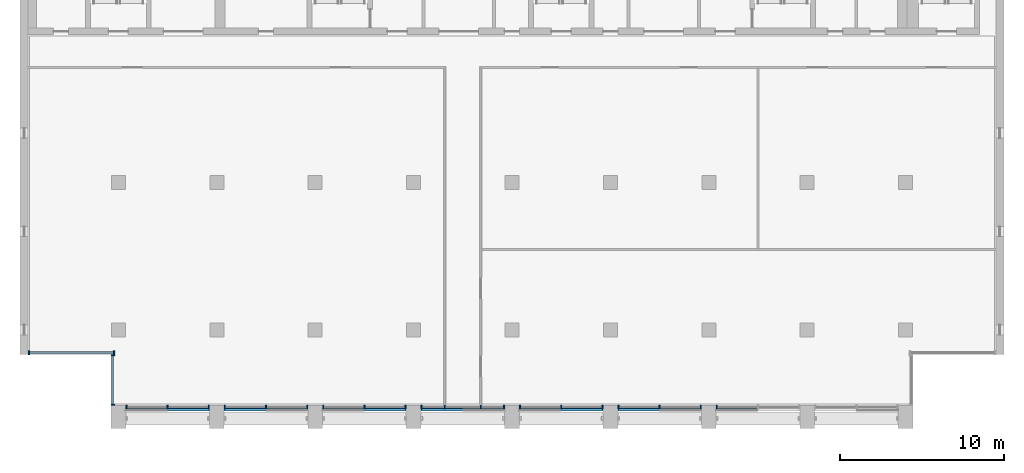
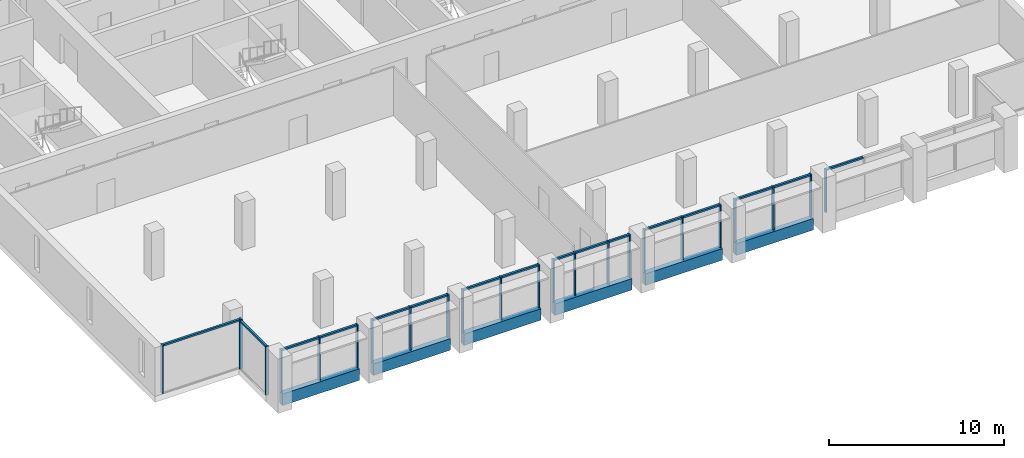
# One storey, part 2 of 14: 40 members, 6 beams, 9 elements without a shape of their own.
"""IFC4 building model written with IfcOpenShell, lengths in metres."""

from ifc_helpers import new_model, si_unit, direction, frame, origin, origin_2d, place, context, subcontext, project, spatial, rectangle, extrude, material, material_profile, profile_set, type_object, element, aggregate, save


model = new_model("IFC4")

# Units and contexts
model_context = context("Model", 3, precision=1e-05, world=origin(), true_north=direction((0.0, 1.0)))
body_context = subcontext(model_context, "Body", "Model", "MODEL_VIEW")
ifc_project = project(units=[si_unit("LENGTHUNIT", "METRE"), si_unit("AREAUNIT", "SQUARE_METRE"), si_unit("VOLUMEUNIT", "CUBIC_METRE"), si_unit("PLANEANGLEUNIT", "RADIAN"), si_unit("MASSUNIT", "GRAM", prefix="KILO")], contexts=[model_context])

# Site, building, storey
site_placement = place(None, origin())
site = spatial("IfcSite", under=ifc_project, at=site_placement, CompositionType="ELEMENT")
building_placement = place(site_placement, origin())
building = spatial("IfcBuilding", under=site, at=building_placement, Name="Calvaro Tower", CompositionType="ELEMENT")
storey_placement = place(building_placement, frame((0.0, 0.0, 246.949951171875)))
storey = spatial("IfcBuildingStorey", under=building, at=storey_placement, Name="L62", CompositionType="ELEMENT", Elevation=246.949951171875)

# Curtain wall, members
ifc_material_1 = material(Name="Anodised aluminium", Category="aluminium")
curtain_wall_type = type_object("IfcCurtainWallType", Name="Executive curtain wall", PredefinedType="NOTDEFINED", material=ifc_material_1)
curtain_wall_1_placement = place(storey_placement, origin())
curtain_wall_1 = element("IfcCurtainWall", 1, at=curtain_wall_1_placement, inside=storey, type_object=curtain_wall_type, Name="CW4 south curtain wall", PredefinedType="NOTDEFINED")
ifc_material_2 = material(Name="Anodised aluminium", Category="aluminium")
ifc_material_profile_1 = material_profile(ifc_material_2, rectangle(XDim=0.219970703125, YDim=0.080078125, at=origin_2d()), Name="Mullion S4 80 x 220")
ifc_profile_set_1 = profile_set([ifc_material_profile_1], Name="Anodised aluminium")
member_type_1 = type_object("IfcMemberType", Name="Mullion S4 80 x 220", PredefinedType="MULLION", material=ifc_profile_set_1)
member_1_placement = place(storey_placement, frame((12.489990234375, 5.2900390625, 0.0), z_axis=(0.0, 0.0, 1.0), x_axis=(0.0, 1.0, 0.0)))
member_1 = element("IfcMember", 2, at=member_1_placement, type_object=member_type_1, Name="CW4 mullion 1", PredefinedType="MULLION", context=body_context, shape_type="SweptSolid", body=[
    extrude(rectangle(XDim=0.219970703125, YDim=0.080078125, at=origin_2d()), origin(), (0.0, 0.0, 1.0), 3.0),
])
member_2_placement = place(storey_placement, frame((15.0, 5.2900390625, 0.0), z_axis=(0.0, 0.0, 1.0), x_axis=(0.0, 1.0, 0.0)))
member_2 = element("IfcMember", 3, at=member_2_placement, type_object=member_type_1, Name="CW4 mullion 2", PredefinedType="MULLION", context=body_context, shape_type="SweptSolid", body=[
    extrude(rectangle(XDim=0.219970703125, YDim=0.080078125, at=origin_2d()), origin(), (0.0, 0.0, 1.0), 3.0),
])
member_3_placement = place(storey_placement, frame((17.510009765625, 5.2900390625, 0.0), z_axis=(0.0, 0.0, 1.0), x_axis=(0.0, 1.0, 0.0)))
member_3 = element("IfcMember", 4, at=member_3_placement, type_object=member_type_1, Name="CW4 mullion 3", PredefinedType="MULLION", context=body_context, shape_type="SweptSolid", body=[
    extrude(rectangle(XDim=0.219970703125, YDim=0.080078125, at=origin_2d()), origin(), (0.0, 0.0, 1.0), 3.0),
])

curtain_wall_2_placement = place(storey_placement, origin())
curtain_wall_2 = element("IfcCurtainWall", 5, at=curtain_wall_2_placement, inside=storey, type_object=curtain_wall_type, Name="CW4 south curtain wall", PredefinedType="NOTDEFINED")
member_4_placement = place(storey_placement, frame((18.489990234375, 5.2900390625, 0.0), z_axis=(0.0, 0.0, 1.0), x_axis=(0.0, 1.0, 0.0)))
member_4 = element("IfcMember", 6, at=member_4_placement, type_object=member_type_1, Name="CW4 mullion 1", PredefinedType="MULLION", context=body_context, shape_type="SweptSolid", body=[
    extrude(rectangle(XDim=0.219970703125, YDim=0.080078125, at=origin_2d()), origin(), (0.0, 0.0, 1.0), 3.0),
])
member_5_placement = place(storey_placement, frame((21.0, 5.2900390625, 0.0), z_axis=(0.0, 0.0, 1.0), x_axis=(0.0, 1.0, 0.0)))
member_5 = element("IfcMember", 7, at=member_5_placement, type_object=member_type_1, Name="CW4 mullion 2", PredefinedType="MULLION", context=body_context, shape_type="SweptSolid", body=[
    extrude(rectangle(XDim=0.219970703125, YDim=0.080078125, at=origin_2d()), origin(), (0.0, 0.0, 1.0), 3.0),
])
member_6_placement = place(storey_placement, frame((23.510009765625, 5.2900390625, 0.0), z_axis=(0.0, 0.0, 1.0), x_axis=(0.0, 1.0, 0.0)))
member_6 = element("IfcMember", 8, at=member_6_placement, type_object=member_type_1, Name="CW4 mullion 3", PredefinedType="MULLION", context=body_context, shape_type="SweptSolid", body=[
    extrude(rectangle(XDim=0.219970703125, YDim=0.080078125, at=origin_2d()), origin(), (0.0, 0.0, 1.0), 3.0),
])

curtain_wall_3_placement = place(storey_placement, origin())
curtain_wall_3 = element("IfcCurtainWall", 9, at=curtain_wall_3_placement, inside=storey, type_object=curtain_wall_type, Name="CW4 south curtain wall", PredefinedType="NOTDEFINED")
member_7_placement = place(storey_placement, frame((24.489990234375, 5.2900390625, 0.0), z_axis=(0.0, 0.0, 1.0), x_axis=(0.0, 1.0, 0.0)))
member_7 = element("IfcMember", 10, at=member_7_placement, type_object=member_type_1, Name="CW4 mullion 1", PredefinedType="MULLION", context=body_context, shape_type="SweptSolid", body=[
    extrude(rectangle(XDim=0.219970703125, YDim=0.080078125, at=origin_2d()), origin(), (0.0, 0.0, 1.0), 3.0),
])
member_8_placement = place(storey_placement, frame((27.0, 5.2900390625, 0.0), z_axis=(0.0, 0.0, 1.0), x_axis=(0.0, 1.0, 0.0)))
member_8 = element("IfcMember", 11, at=member_8_placement, type_object=member_type_1, Name="CW4 mullion 2", PredefinedType="MULLION", context=body_context, shape_type="SweptSolid", body=[
    extrude(rectangle(XDim=0.219970703125, YDim=0.080078125, at=origin_2d()), origin(), (0.0, 0.0, 1.0), 3.0),
])
member_9_placement = place(storey_placement, frame((29.510009765625, 5.2900390625, 0.0), z_axis=(0.0, 0.0, 1.0), x_axis=(0.0, 1.0, 0.0)))
member_9 = element("IfcMember", 12, at=member_9_placement, type_object=member_type_1, Name="CW4 mullion 3", PredefinedType="MULLION", context=body_context, shape_type="SweptSolid", body=[
    extrude(rectangle(XDim=0.219970703125, YDim=0.080078125, at=origin_2d()), origin(), (0.0, 0.0, 1.0), 3.0),
])

curtain_wall_4_placement = place(storey_placement, origin())
curtain_wall_4 = element("IfcCurtainWall", 13, at=curtain_wall_4_placement, inside=storey, type_object=curtain_wall_type, Name="CW4 south curtain wall", PredefinedType="NOTDEFINED")
member_10_placement = place(storey_placement, frame((30.489990234375, 5.2900390625, 0.0), z_axis=(0.0, 0.0, 1.0), x_axis=(0.0, 1.0, 0.0)))
member_10 = element("IfcMember", 14, at=member_10_placement, type_object=member_type_1, Name="CW4 mullion 1", PredefinedType="MULLION", context=body_context, shape_type="SweptSolid", body=[
    extrude(rectangle(XDim=0.219970703125, YDim=0.080078125, at=origin_2d()), origin(), (0.0, 0.0, 1.0), 3.0),
])
member_11_placement = place(storey_placement, frame((31.89990234375, 5.2900390625, 0.0), z_axis=(0.0, 0.0, 1.0), x_axis=(0.0, 1.0, 0.0)))
member_11 = element("IfcMember", 15, at=member_11_placement, type_object=member_type_1, Name="CW4 mullion 2", PredefinedType="MULLION", context=body_context, shape_type="SweptSolid", body=[
    extrude(rectangle(XDim=0.219970703125, YDim=0.080078125, at=origin_2d()), origin(), (0.0, 0.0, 1.0), 3.0),
])
member_12_placement = place(storey_placement, frame((34.10009765625, 5.2900390625, 0.0), z_axis=(0.0, 0.0, 1.0), x_axis=(0.0, 1.0, 0.0)))
member_12 = element("IfcMember", 16, at=member_12_placement, type_object=member_type_1, Name="CW4 mullion 3", PredefinedType="MULLION", context=body_context, shape_type="SweptSolid", body=[
    extrude(rectangle(XDim=0.219970703125, YDim=0.080078125, at=origin_2d()), origin(), (0.0, 0.0, 1.0), 3.0),
])
member_13_placement = place(storey_placement, frame((35.510009765625, 5.2900390625, 0.0), z_axis=(0.0, 0.0, 1.0), x_axis=(0.0, 1.0, 0.0)))
member_13 = element("IfcMember", 17, at=member_13_placement, type_object=member_type_1, Name="CW4 mullion 4", PredefinedType="MULLION", context=body_context, shape_type="SweptSolid", body=[
    extrude(rectangle(XDim=0.219970703125, YDim=0.080078125, at=origin_2d()), origin(), (0.0, 0.0, 1.0), 3.0),
])

curtain_wall_5_placement = place(storey_placement, origin())
curtain_wall_5 = element("IfcCurtainWall", 18, at=curtain_wall_5_placement, inside=storey, type_object=curtain_wall_type, Name="CW4 south curtain wall", PredefinedType="NOTDEFINED")
member_14_placement = place(storey_placement, frame((36.489990234375, 5.2900390625, 0.0), z_axis=(0.0, 0.0, 1.0), x_axis=(0.0, 1.0, 0.0)))
member_14 = element("IfcMember", 19, at=member_14_placement, type_object=member_type_1, Name="CW4 mullion 1", PredefinedType="MULLION", context=body_context, shape_type="SweptSolid", body=[
    extrude(rectangle(XDim=0.219970703125, YDim=0.080078125, at=origin_2d()), origin(), (0.0, 0.0, 1.0), 3.0),
])
member_15_placement = place(storey_placement, frame((39.0, 5.2900390625, 0.0), z_axis=(0.0, 0.0, 1.0), x_axis=(0.0, 1.0, 0.0)))
member_15 = element("IfcMember", 20, at=member_15_placement, type_object=member_type_1, Name="CW4 mullion 2", PredefinedType="MULLION", context=body_context, shape_type="SweptSolid", body=[
    extrude(rectangle(XDim=0.219970703125, YDim=0.080078125, at=origin_2d()), origin(), (0.0, 0.0, 1.0), 3.0),
])
member_16_placement = place(storey_placement, frame((41.510009765625, 5.2900390625, 0.0), z_axis=(0.0, 0.0, 1.0), x_axis=(0.0, 1.0, 0.0)))
member_16 = element("IfcMember", 21, at=member_16_placement, type_object=member_type_1, Name="CW4 mullion 3", PredefinedType="MULLION", context=body_context, shape_type="SweptSolid", body=[
    extrude(rectangle(XDim=0.219970703125, YDim=0.080078125, at=origin_2d()), origin(), (0.0, 0.0, 1.0), 3.0),
])

curtain_wall_6_placement = place(storey_placement, origin())
curtain_wall_6 = element("IfcCurtainWall", 22, at=curtain_wall_6_placement, inside=storey, type_object=curtain_wall_type, Name="CW4 south curtain wall", PredefinedType="NOTDEFINED")
member_17_placement = place(storey_placement, frame((42.489990234375, 5.2900390625, 0.0), z_axis=(0.0, 0.0, 1.0), x_axis=(0.0, 1.0, 0.0)))
member_17 = element("IfcMember", 23, at=member_17_placement, type_object=member_type_1, Name="CW4 mullion 1", PredefinedType="MULLION", context=body_context, shape_type="SweptSolid", body=[
    extrude(rectangle(XDim=0.219970703125, YDim=0.080078125, at=origin_2d()), origin(), (0.0, 0.0, 1.0), 3.0),
])
member_18_placement = place(storey_placement, frame((45.0, 5.2900390625, 0.0), z_axis=(0.0, 0.0, 1.0), x_axis=(0.0, 1.0, 0.0)))
member_18 = element("IfcMember", 24, at=member_18_placement, type_object=member_type_1, Name="CW4 mullion 2", PredefinedType="MULLION", context=body_context, shape_type="SweptSolid", body=[
    extrude(rectangle(XDim=0.219970703125, YDim=0.080078125, at=origin_2d()), origin(), (0.0, 0.0, 1.0), 3.0),
])
member_19_placement = place(storey_placement, frame((47.510009765625, 5.2900390625, 0.0), z_axis=(0.0, 0.0, 1.0), x_axis=(0.0, 1.0, 0.0)))
member_19 = element("IfcMember", 25, at=member_19_placement, type_object=member_type_1, Name="CW4 mullion 3", PredefinedType="MULLION", context=body_context, shape_type="SweptSolid", body=[
    extrude(rectangle(XDim=0.219970703125, YDim=0.080078125, at=origin_2d()), origin(), (0.0, 0.0, 1.0), 3.0),
])

# Curtain wall, member
curtain_wall_7_placement = place(storey_placement, origin())
curtain_wall_7 = element("IfcCurtainWall", 26, at=curtain_wall_7_placement, inside=storey, type_object=curtain_wall_type, Name="CW4 south curtain wall", PredefinedType="NOTDEFINED")
member_20_placement = place(storey_placement, frame((48.489990234375, 5.2900390625, 0.0), z_axis=(0.0, 0.0, 1.0), x_axis=(0.0, 1.0, 0.0)))
member_20 = element("IfcMember", 27, at=member_20_placement, type_object=member_type_1, Name="CW4 mullion 1", PredefinedType="MULLION", context=body_context, shape_type="SweptSolid", body=[
    extrude(rectangle(XDim=0.219970703125, YDim=0.080078125, at=origin_2d()), origin(), (0.0, 0.0, 1.0), 3.0),
])

# Curtain wall, members
curtain_wall_8_placement = place(storey_placement, origin())
curtain_wall_8 = element("IfcCurtainWall", 28, at=curtain_wall_8_placement, inside=storey, type_object=curtain_wall_type, Name="CW4 corner curtain wall", PredefinedType="NOTDEFINED")
member_21_placement = place(storey_placement, frame((11.659912109375, 5.43994140625, 0.0), z_axis=(0.0, 0.0, 1.0), x_axis=(-1.0, 0.0, 0.0)))
member_21 = element("IfcMember", 29, at=member_21_placement, type_object=member_type_1, Name="CW4 mullion 1", PredefinedType="MULLION", context=body_context, shape_type="SweptSolid", body=[
    extrude(rectangle(XDim=0.219970703125, YDim=0.080078125, at=origin_2d()), origin(), (0.0, 0.0, 1.0), 3.400146484375),
])
member_22_placement = place(storey_placement, frame((11.659912109375, 8.4599609375, 0.0), z_axis=(0.0, 0.0, 1.0), x_axis=(-1.0, 0.0, 0.0)))
member_22 = element("IfcMember", 30, at=member_22_placement, type_object=member_type_1, Name="CW4 mullion 2", PredefinedType="MULLION", context=body_context, shape_type="SweptSolid", body=[
    extrude(rectangle(XDim=0.219970703125, YDim=0.080078125, at=origin_2d()), origin(), (0.0, 0.0, 1.0), 3.400146484375),
])

curtain_wall_9_placement = place(storey_placement, origin())
curtain_wall_9 = element("IfcCurtainWall", 31, at=curtain_wall_9_placement, inside=storey, type_object=curtain_wall_type, Name="CW4 corner curtain wall", PredefinedType="NOTDEFINED")
member_23_placement = place(storey_placement, frame((6.5400390625, 8.610107421875, 0.0), z_axis=(0.0, 0.0, 1.0), x_axis=(0.0, 1.0, 0.0)))
member_23 = element("IfcMember", 32, at=member_23_placement, type_object=member_type_1, Name="CW4 mullion 1", PredefinedType="MULLION", context=body_context, shape_type="SweptSolid", body=[
    extrude(rectangle(XDim=0.219970703125, YDim=0.080078125, at=origin_2d()), origin(), (0.0, 0.0, 1.0), 3.400146484375),
])
member_24_placement = place(storey_placement, frame((11.72998046875, 8.610107421875, 0.0), z_axis=(0.0, 0.0, 1.0), x_axis=(0.0, 1.0, 0.0)))
member_24 = element("IfcMember", 33, at=member_24_placement, type_object=member_type_1, Name="CW4 mullion 2", PredefinedType="MULLION", context=body_context, shape_type="SweptSolid", body=[
    extrude(rectangle(XDim=0.219970703125, YDim=0.080078125, at=origin_2d()), origin(), (0.0, 0.0, 1.0), 3.400146484375),
])

# Beams
ifc_material_3 = material(Name="Concrete C50/60 precast", Category="concrete")
ifc_material_profile_2 = material_profile(ifc_material_3, rectangle(XDim=0.35009765625, YDim=0.800048828125, at=origin_2d()), Name="RC 350x800")
ifc_profile_set_2 = profile_set([ifc_material_profile_2], Name="Concrete C50/60 precast")
beam_type = type_object("IfcBeamType", Name="Spandrel beam 350x800 C50/60", PredefinedType="SPANDREL", material=ifc_profile_set_2)
for number, where, z_axis, x_axis, name in (
    (34, (12.449951171875, 5.22509765625, -0.39990234375), (1.0, 0.0, 0.0), (0.0, 1.0, 0.0), "Spandrel beam"),
    (35, (18.449951171875, 5.22509765625, -0.39990234375), (1.0, 0.0, 0.0), (0.0, 1.0, 0.0), "Spandrel beam"),
    (36, (24.449951171875, 5.22509765625, -0.39990234375), (1.0, 0.0, 0.0), (0.0, 1.0, 0.0), "Spandrel beam"),
    (37, (30.449951171875, 5.22509765625, -0.39990234375), (1.0, 0.0, 0.0), (0.0, 1.0, 0.0), "Spandrel beam"),
    (38, (36.449951171875, 5.22509765625, -0.39990234375), (1.0, 0.0, 0.0), (0.0, 1.0, 0.0), "Spandrel beam"),
    (39, (42.449951171875, 5.22509765625, -0.39990234375), (1.0, 0.0, 0.0), (0.0, 1.0, 0.0), "Spandrel beam"),
):
    element("IfcBeam", number, at=place(storey_placement, frame(where, z_axis=z_axis, x_axis=x_axis)), inside=storey, type_object=beam_type, Name=name, PredefinedType="SPANDREL", context=body_context, shape_type="SweptSolid", body=[
        extrude(rectangle(XDim=0.35009765625, YDim=0.800048828125, at=origin_2d()), origin(), (0.0, 0.0, 1.0), 5.10009765625),
    ])

# Member
ifc_material_4 = material(Name="Anodised aluminium", Category="aluminium")
ifc_material_profile_3 = material_profile(ifc_material_4, rectangle(XDim=0.139892578125, YDim=0.1201171875, at=origin_2d()), Name="Transom S4 120 x 140")
ifc_profile_set_3 = profile_set([ifc_material_profile_3], Name="Anodised aluminium")
member_type_2 = type_object("IfcMemberType", Name="Transom S4 120 x 140", PredefinedType="USERDEFINED", material=ifc_profile_set_3)
member_25_placement = place(storey_placement, frame((12.530029296875, 5.2900390625, 2.93994140625), z_axis=(1.0, 0.0, 0.0), x_axis=(0.0, 1.0, 0.0)))
member_25 = element("IfcMember", 40, at=member_25_placement, type_object=member_type_2, Name="CW4 transom 1.1", ObjectType="TRANSOM", PredefinedType="USERDEFINED", context=body_context, shape_type="SweptSolid", body=[
    extrude(rectangle(XDim=0.139892578125, YDim=0.1201171875, at=origin_2d()), origin(), (0.0, 0.0, 1.0), 2.429931640625),
])

member_26_placement = place(storey_placement, frame((15.0400390625, 5.2900390625, 2.93994140625), z_axis=(1.0, 0.0, 0.0), x_axis=(0.0, 1.0, 0.0)))
member_26 = element("IfcMember", 41, at=member_26_placement, type_object=member_type_2, Name="CW4 transom 2.1", ObjectType="TRANSOM", PredefinedType="USERDEFINED", context=body_context, shape_type="SweptSolid", body=[
    extrude(rectangle(XDim=0.139892578125, YDim=0.1201171875, at=origin_2d()), origin(), (0.0, 0.0, 1.0), 2.429931640625),
])

aggregate(curtain_wall_1, [member_1, member_2, member_3, member_25, member_26])

member_27_placement = place(storey_placement, frame((18.530029296875, 5.2900390625, 2.93994140625), z_axis=(1.0, 0.0, 0.0), x_axis=(0.0, 1.0, 0.0)))
member_27 = element("IfcMember", 42, at=member_27_placement, type_object=member_type_2, Name="CW4 transom 1.1", ObjectType="TRANSOM", PredefinedType="USERDEFINED", context=body_context, shape_type="SweptSolid", body=[
    extrude(rectangle(XDim=0.139892578125, YDim=0.1201171875, at=origin_2d()), origin(), (0.0, 0.0, 1.0), 2.429931640625),
])

member_28_placement = place(storey_placement, frame((21.0400390625, 5.2900390625, 2.93994140625), z_axis=(1.0, 0.0, 0.0), x_axis=(0.0, 1.0, 0.0)))
member_28 = element("IfcMember", 43, at=member_28_placement, type_object=member_type_2, Name="CW4 transom 2.1", ObjectType="TRANSOM", PredefinedType="USERDEFINED", context=body_context, shape_type="SweptSolid", body=[
    extrude(rectangle(XDim=0.139892578125, YDim=0.1201171875, at=origin_2d()), origin(), (0.0, 0.0, 1.0), 2.429931640625),
])

aggregate(curtain_wall_2, [member_4, member_5, member_6, member_27, member_28])

member_29_placement = place(storey_placement, frame((24.530029296875, 5.2900390625, 2.93994140625), z_axis=(1.0, 0.0, 0.0), x_axis=(0.0, 1.0, 0.0)))
member_29 = element("IfcMember", 44, at=member_29_placement, type_object=member_type_2, Name="CW4 transom 1.1", ObjectType="TRANSOM", PredefinedType="USERDEFINED", context=body_context, shape_type="SweptSolid", body=[
    extrude(rectangle(XDim=0.139892578125, YDim=0.1201171875, at=origin_2d()), origin(), (0.0, 0.0, 1.0), 2.429931640625),
])

member_30_placement = place(storey_placement, frame((27.0400390625, 5.2900390625, 2.93994140625), z_axis=(1.0, 0.0, 0.0), x_axis=(0.0, 1.0, 0.0)))
member_30 = element("IfcMember", 45, at=member_30_placement, type_object=member_type_2, Name="CW4 transom 2.1", ObjectType="TRANSOM", PredefinedType="USERDEFINED", context=body_context, shape_type="SweptSolid", body=[
    extrude(rectangle(XDim=0.139892578125, YDim=0.1201171875, at=origin_2d()), origin(), (0.0, 0.0, 1.0), 2.429931640625),
])

aggregate(curtain_wall_3, [member_7, member_8, member_9, member_29, member_30])

member_31_placement = place(storey_placement, frame((30.530029296875, 5.2900390625, 2.93994140625), z_axis=(1.0, 0.0, 0.0), x_axis=(0.0, 1.0, 0.0)))
member_31 = element("IfcMember", 46, at=member_31_placement, type_object=member_type_2, Name="CW4 transom 1.1", ObjectType="TRANSOM", PredefinedType="USERDEFINED", context=body_context, shape_type="SweptSolid", body=[
    extrude(rectangle(XDim=0.139892578125, YDim=0.1201171875, at=origin_2d()), origin(), (0.0, 0.0, 1.0), 1.330078125),
])

member_32_placement = place(storey_placement, frame((31.93994140625, 5.2900390625, 2.93994140625), z_axis=(1.0, 0.0, 0.0), x_axis=(0.0, 1.0, 0.0)))
member_32 = element("IfcMember", 47, at=member_32_placement, type_object=member_type_2, Name="CW4 transom 2.1", ObjectType="TRANSOM", PredefinedType="USERDEFINED", context=body_context, shape_type="SweptSolid", body=[
    extrude(rectangle(XDim=0.139892578125, YDim=0.1201171875, at=origin_2d()), origin(), (0.0, 0.0, 1.0), 2.1201171875),
])

member_33_placement = place(storey_placement, frame((34.139892578125, 5.2900390625, 2.93994140625), z_axis=(1.0, 0.0, 0.0), x_axis=(0.0, 1.0, 0.0)))
member_33 = element("IfcMember", 48, at=member_33_placement, type_object=member_type_2, Name="CW4 transom 3.1", ObjectType="TRANSOM", PredefinedType="USERDEFINED", context=body_context, shape_type="SweptSolid", body=[
    extrude(rectangle(XDim=0.139892578125, YDim=0.1201171875, at=origin_2d()), origin(), (0.0, 0.0, 1.0), 1.330078125),
])

aggregate(curtain_wall_4, [member_10, member_11, member_12, member_13, member_31, member_32, member_33])

member_34_placement = place(storey_placement, frame((36.530029296875, 5.2900390625, 2.93994140625), z_axis=(1.0, 0.0, 0.0), x_axis=(0.0, 1.0, 0.0)))
member_34 = element("IfcMember", 49, at=member_34_placement, type_object=member_type_2, Name="CW4 transom 1.1", ObjectType="TRANSOM", PredefinedType="USERDEFINED", context=body_context, shape_type="SweptSolid", body=[
    extrude(rectangle(XDim=0.139892578125, YDim=0.1201171875, at=origin_2d()), origin(), (0.0, 0.0, 1.0), 2.429931640625),
])

member_35_placement = place(storey_placement, frame((39.0400390625, 5.2900390625, 2.93994140625), z_axis=(1.0, 0.0, 0.0), x_axis=(0.0, 1.0, 0.0)))
member_35 = element("IfcMember", 50, at=member_35_placement, type_object=member_type_2, Name="CW4 transom 2.1", ObjectType="TRANSOM", PredefinedType="USERDEFINED", context=body_context, shape_type="SweptSolid", body=[
    extrude(rectangle(XDim=0.139892578125, YDim=0.1201171875, at=origin_2d()), origin(), (0.0, 0.0, 1.0), 2.429931640625),
])

aggregate(curtain_wall_5, [member_14, member_15, member_16, member_34, member_35])

member_36_placement = place(storey_placement, frame((42.530029296875, 5.2900390625, 2.93994140625), z_axis=(1.0, 0.0, 0.0), x_axis=(0.0, 1.0, 0.0)))
member_36 = element("IfcMember", 51, at=member_36_placement, type_object=member_type_2, Name="CW4 transom 1.1", ObjectType="TRANSOM", PredefinedType="USERDEFINED", context=body_context, shape_type="SweptSolid", body=[
    extrude(rectangle(XDim=0.139892578125, YDim=0.1201171875, at=origin_2d()), origin(), (0.0, 0.0, 1.0), 2.429931640625),
])

member_37_placement = place(storey_placement, frame((45.0400390625, 5.2900390625, 2.93994140625), z_axis=(1.0, 0.0, 0.0), x_axis=(0.0, 1.0, 0.0)))
member_37 = element("IfcMember", 52, at=member_37_placement, type_object=member_type_2, Name="CW4 transom 2.1", ObjectType="TRANSOM", PredefinedType="USERDEFINED", context=body_context, shape_type="SweptSolid", body=[
    extrude(rectangle(XDim=0.139892578125, YDim=0.1201171875, at=origin_2d()), origin(), (0.0, 0.0, 1.0), 2.429931640625),
])

aggregate(curtain_wall_6, [member_17, member_18, member_19, member_36, member_37])

member_38_placement = place(storey_placement, frame((48.530029296875, 5.2900390625, 2.93994140625), z_axis=(1.0, 0.0, 0.0), x_axis=(0.0, 1.0, 0.0)))
member_38 = element("IfcMember", 53, at=member_38_placement, type_object=member_type_2, Name="CW4 transom 1.1", ObjectType="TRANSOM", PredefinedType="USERDEFINED", context=body_context, shape_type="SweptSolid", body=[
    extrude(rectangle(XDim=0.139892578125, YDim=0.1201171875, at=origin_2d()), origin(), (0.0, 0.0, 1.0), 2.429931640625),
])

aggregate(curtain_wall_7, [member_20, member_38])

member_39_placement = place(storey_placement, frame((11.659912109375, 5.47998046875, 3.340087890625), z_axis=(0.0, 1.0, 0.0), x_axis=(-1.0, 0.0, 0.0)))
member_39 = element("IfcMember", 54, at=member_39_placement, type_object=member_type_2, Name="CW4 transom 1.1", ObjectType="TRANSOM", PredefinedType="USERDEFINED", context=body_context, shape_type="SweptSolid", body=[
    extrude(rectangle(XDim=0.139892578125, YDim=0.1201171875, at=origin_2d()), origin(), (0.0, 0.0, 1.0), 2.93994140625),
])

aggregate(curtain_wall_8, [member_21, member_22, member_39])

member_40_placement = place(storey_placement, frame((6.580078125, 8.610107421875, 3.340087890625), z_axis=(1.0, 0.0, 0.0), x_axis=(0.0, 1.0, 0.0)))
member_40 = element("IfcMember", 55, at=member_40_placement, type_object=member_type_2, Name="CW4 transom 1.1", ObjectType="TRANSOM", PredefinedType="USERDEFINED", context=body_context, shape_type="SweptSolid", body=[
    extrude(rectangle(XDim=0.139892578125, YDim=0.1201171875, at=origin_2d()), origin(), (0.0, 0.0, 1.0), 5.10986328125),
])

aggregate(curtain_wall_9, [member_23, member_24, member_40])

save(model, "model.ifc")
